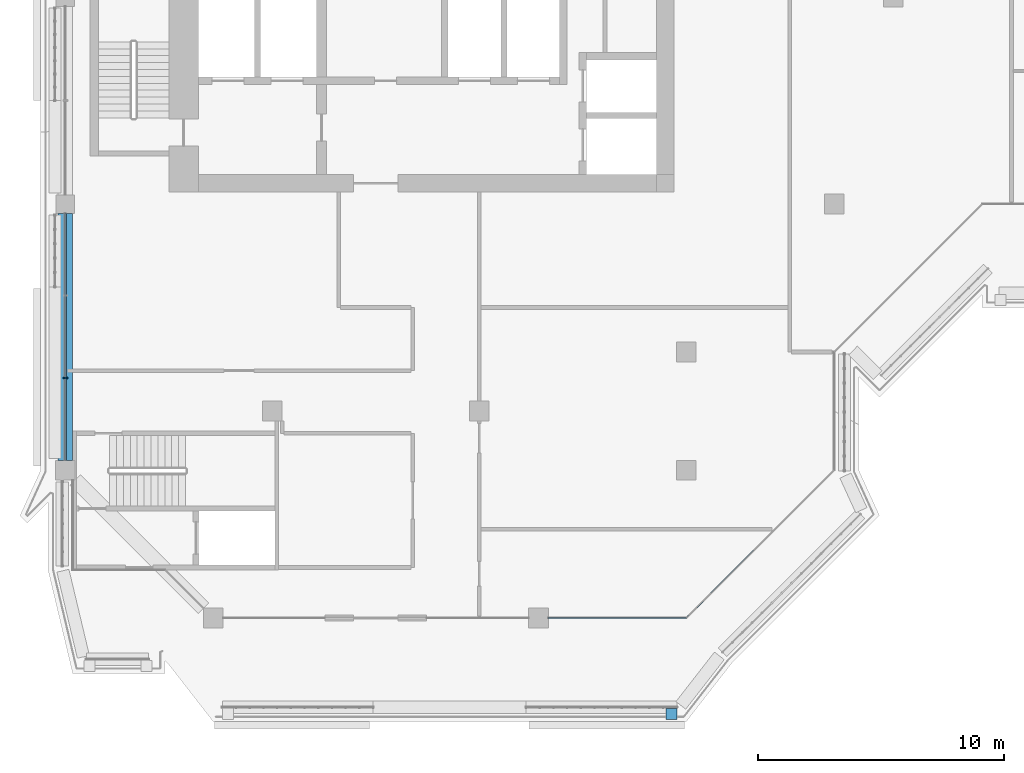
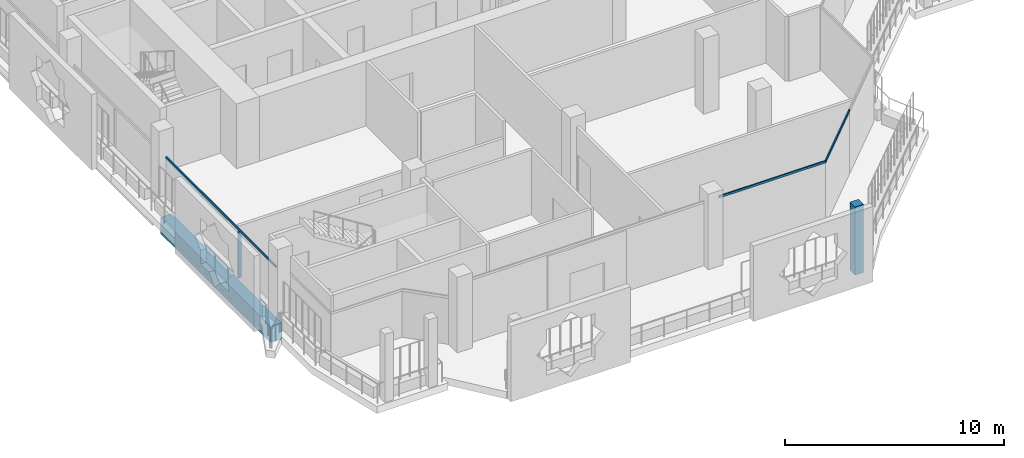
# One storey, part 2 of 21: 5 members, 1 beam, 4 elements without a shape of their own.
"""IFC4 building model written with IfcOpenShell, lengths in metres."""

from ifc_helpers import new_model, si_unit, direction, frame, origin, origin_2d, place, context, subcontext, project, spatial, rectangle, extrude, material, layer, layer_set, material_profile, profile_set, type_object, element, aggregate, save


model = new_model("IFC4")

# Units and contexts
model_context = context("Model", 3, precision=1e-05, world=origin(), true_north=direction((0.0, 1.0)))
body_context = subcontext(model_context, "Body", "Model", "MODEL_VIEW")
ifc_project = project(units=[si_unit("LENGTHUNIT", "METRE"), si_unit("AREAUNIT", "SQUARE_METRE"), si_unit("VOLUMEUNIT", "CUBIC_METRE"), si_unit("PLANEANGLEUNIT", "RADIAN"), si_unit("MASSUNIT", "GRAM", prefix="KILO")], contexts=[model_context])

# Site, building, storey
site_placement = place(None, origin())
site = spatial("IfcSite", under=ifc_project, at=site_placement, CompositionType="ELEMENT")
building_placement = place(site_placement, origin())
building = spatial("IfcBuilding", under=site, at=building_placement, Name="Kawkab Arch Medical Tower", CompositionType="ELEMENT")
storey_placement = place(building_placement, frame((0.0, 0.0, 315.39990234375)))
storey = spatial("IfcBuildingStorey", under=building, at=storey_placement, Name="L73", CompositionType="ELEMENT", Elevation=315.39990234375)

# Curtain wall, members
ifc_material_1 = material(Name="Bronze anodised aluminium curtain wall frame", Category="aluminium")
ifc_layer_1 = layer(ifc_material_1, 0.159912109375)
ifc_layer_set_1 = layer_set([ifc_layer_1], Name="Bronze anodised aluminium curtain wall frame")
curtain_wall_type_1 = type_object("IfcCurtainWallType", Name="CW1 ward curtain wall", PredefinedType="NOTDEFINED", material=ifc_layer_set_1)
placement = place(storey_placement, origin())
curtain_wall_1 = element("IfcCurtainWall", 1, at=placement, inside=storey, type_object=curtain_wall_type_1, Name="CW1 Ward curtain wall R02", PredefinedType="NOTDEFINED")
ifc_material_2 = material(Name="Bronze anodised aluminium curtain wall frame", Category="aluminium")
ifc_material_profile_1 = material_profile(ifc_material_2, rectangle(XDim=0.179931640625, YDim=0.06005859375, at=origin_2d()), Name="AL 60x180")
ifc_profile_set_1 = profile_set([ifc_material_profile_1], Name="Bronze anodised aluminium curtain wall frame")
member_type_1 = type_object("IfcMemberType", Name="CW1 mullion 60 x 180", PredefinedType="MULLION", material=ifc_profile_set_1)
member_1_placement = place(storey_placement, frame((0.0, -32.25830078125, 0.0), z_axis=(0.0, 0.0, 1.0), x_axis=(1.0, 0.0, 0.0)))
member_1 = element("IfcMember", 2, at=member_1_placement, type_object=member_type_1, Name="CW1 mullion 3.2", PredefinedType="MULLION", context=body_context, shape_type="SweptSolid", body=[
    extrude(rectangle(XDim=0.179931640625, YDim=0.06005859375, at=origin_2d()), origin(), (0.0, 0.0, 1.0), 2.580078125),
])
ifc_material_3 = material(Name="Bronze anodised aluminium curtain wall frame", Category="aluminium")
ifc_material_profile_2 = material_profile(ifc_material_3, rectangle(XDim=0.06005859375, YDim=0.1201171875, at=origin_2d()), Name="AL 60x120")
ifc_profile_set_2 = profile_set([ifc_material_profile_2], Name="Bronze anodised aluminium curtain wall frame")
member_type_2 = type_object("IfcMemberType", Name="CW1 transom 120 x 60", PredefinedType="USERDEFINED", material=ifc_profile_set_2)
member_2_placement = place(storey_placement, frame((0.0, -25.574951171875, 2.64013671875), z_axis=(0.0, -1.0, 0.0), x_axis=(1.0, 0.0, 0.0)))
member_2 = element("IfcMember", 3, at=member_2_placement, type_object=member_type_2, Name="CW1 transom 3", ObjectType="TRANSOM", PredefinedType="USERDEFINED", context=body_context, shape_type="SweptSolid", body=[
    extrude(rectangle(XDim=0.06005859375, YDim=0.1201171875, at=origin_2d()), origin(), (0.0, 0.0, 1.0), 10.025146484375),
])
aggregate(curtain_wall_1, [member_2, member_1])

# Curtain wall, member
curtain_wall_2 = element("IfcCurtainWall", 4, at=placement, inside=storey, type_object=curtain_wall_type_1, Name="CW1 Ward curtain wall R07", PredefinedType="NOTDEFINED")
member_3_placement = place(storey_placement, frame((19.60009765625, -42.0, 3.5400390625), z_axis=(1.0, 0.0, 0.0), x_axis=(0.0, 1.0, 0.0)))
member_3 = element("IfcMember", 5, at=member_3_placement, type_object=member_type_2, Name="CW1 transom 2", ObjectType="TRANSOM", PredefinedType="USERDEFINED", context=body_context, shape_type="SweptSolid", body=[
    extrude(rectangle(XDim=0.06005859375, YDim=0.1201171875, at=origin_2d()), origin(), (0.0, 0.0, 1.0), 5.599853515625),
])
aggregate(curtain_wall_2, [member_3])

ifc_material_4 = material(Name="Bronze anodised aluminium curtain wall frame", Category="aluminium")
ifc_layer_2 = layer(ifc_material_4, 0.159912109375)
ifc_layer_set_2 = layer_set([ifc_layer_2], Name="Bronze anodised aluminium curtain wall frame")
curtain_wall_type_2 = type_object("IfcCurtainWallType", Name="CW2 chamfer curtain wall", PredefinedType="NOTDEFINED", material=ifc_layer_set_2)
curtain_wall_3 = element("IfcCurtainWall", 6, at=placement, inside=storey, type_object=curtain_wall_type_2, Name="CW2 Chamfer curtain wall R08", PredefinedType="NOTDEFINED")
ifc_material_5 = material(Name="Bronze anodised aluminium curtain wall frame", Category="aluminium")
ifc_material_profile_3 = material_profile(ifc_material_5, rectangle(XDim=0.06005859375, YDim=0.139892578125, at=origin_2d()), Name="AL 60x140")
ifc_profile_set_3 = profile_set([ifc_material_profile_3], Name="Bronze anodised aluminium curtain wall frame")
member_type_3 = type_object("IfcMemberType", Name="CW2 transom 140 x 60", PredefinedType="USERDEFINED", material=ifc_profile_set_3)
member_4_placement = place(storey_placement, frame((25.199951171875, -42.0, 3.530029296875), z_axis=(0.707106781187, 0.707106781187, 0.0), x_axis=(-0.707106781187, 0.707106781187, 0.0)))
member_4 = element("IfcMember", 7, at=member_4_placement, type_object=member_type_3, Name="CW2 transom 1", ObjectType="TRANSOM", PredefinedType="USERDEFINED", context=body_context, shape_type="SweptSolid", body=[
    extrude(rectangle(XDim=0.06005859375, YDim=0.139892578125, at=origin_2d()), origin(), (0.0, 0.0, 1.0), 4.24267578125),
])
aggregate(curtain_wall_3, [member_4])

ifc_material_6 = material(Name="Bronze anodised aluminium climber frame, planted", Category="aluminium")
ifc_layer_3 = layer(ifc_material_6, 0.449951171875)
ifc_layer_set_3 = layer_set([ifc_layer_3], Name="Bronze anodised aluminium climber frame, planted")
curtain_wall_type_3 = type_object("IfcCurtainWallType", Name="Planted climber frame", PredefinedType="NOTDEFINED", material=ifc_layer_set_3)
curtain_wall_4 = element("IfcCurtainWall", 8, at=placement, inside=storey, type_object=curtain_wall_type_3, Name="Planted climber frame L73", PredefinedType="NOTDEFINED")
ifc_material_7 = material(Name="Bronze anodised aluminium climber frame, planted", Category="aluminium")
ifc_material_profile_4 = material_profile(ifc_material_7, rectangle(XDim=0.449951171875, YDim=0.449951171875, at=origin_2d()), Name="Post 450x450")
ifc_profile_set_4 = profile_set([ifc_material_profile_4], Name="Bronze anodised aluminium climber frame, planted")
member_type_4 = type_object("IfcMemberType", Name="Planted climber post 450 x 450", PredefinedType="MULLION", material=ifc_profile_set_4)
member_5_placement = place(storey_placement, frame((24.60302734375, -45.89990234375, 0.0), z_axis=(0.0, 0.0, 1.0), x_axis=(1.0, 0.0, 0.0)))
member_5 = element("IfcMember", 9, at=member_5_placement, type_object=member_type_4, Name="Planted climber post L73.LOG-01-01.7", PredefinedType="MULLION", context=body_context, shape_type="SweptSolid", body=[
    extrude(rectangle(XDim=0.449951171875, YDim=0.449951171875, at=origin_2d()), origin(), (0.0, 0.0, 1.0), 3.800048828125),
])
aggregate(curtain_wall_4, [member_5])

# Beam
ifc_material_8 = material(Name="Concrete C40/50", Category="concrete")
ifc_material_profile_5 = material_profile(ifc_material_8, rectangle(XDim=0.60009765625, YDim=0.89990234375, at=origin_2d()), Name="RC 600x900")
ifc_profile_set_5 = profile_set([ifc_material_profile_5], Name="Concrete C40/50")
beam_type = type_object("IfcBeamType", Name="RC 600x900 beam C40/50", PredefinedType="BEAM", material=ifc_profile_set_5)
beam_placement = place(storey_placement, frame((0.0, -35.60009765625, -1.0498046875), z_axis=(0.0, 1.0, 0.0), x_axis=(-1.0, 0.0, 0.0)))
element("IfcBeam", 10, at=beam_placement, inside=storey, type_object=beam_type, Name="Overhang edge beam L73-03", PredefinedType="BEAM", context=body_context, shape_type="SweptSolid", body=[
    extrude(rectangle(XDim=0.60009765625, YDim=0.89990234375, at=origin_2d()), origin(), (0.0, 0.0, 1.0), 10.025146484375),
])

save(model, "model.ifc")
